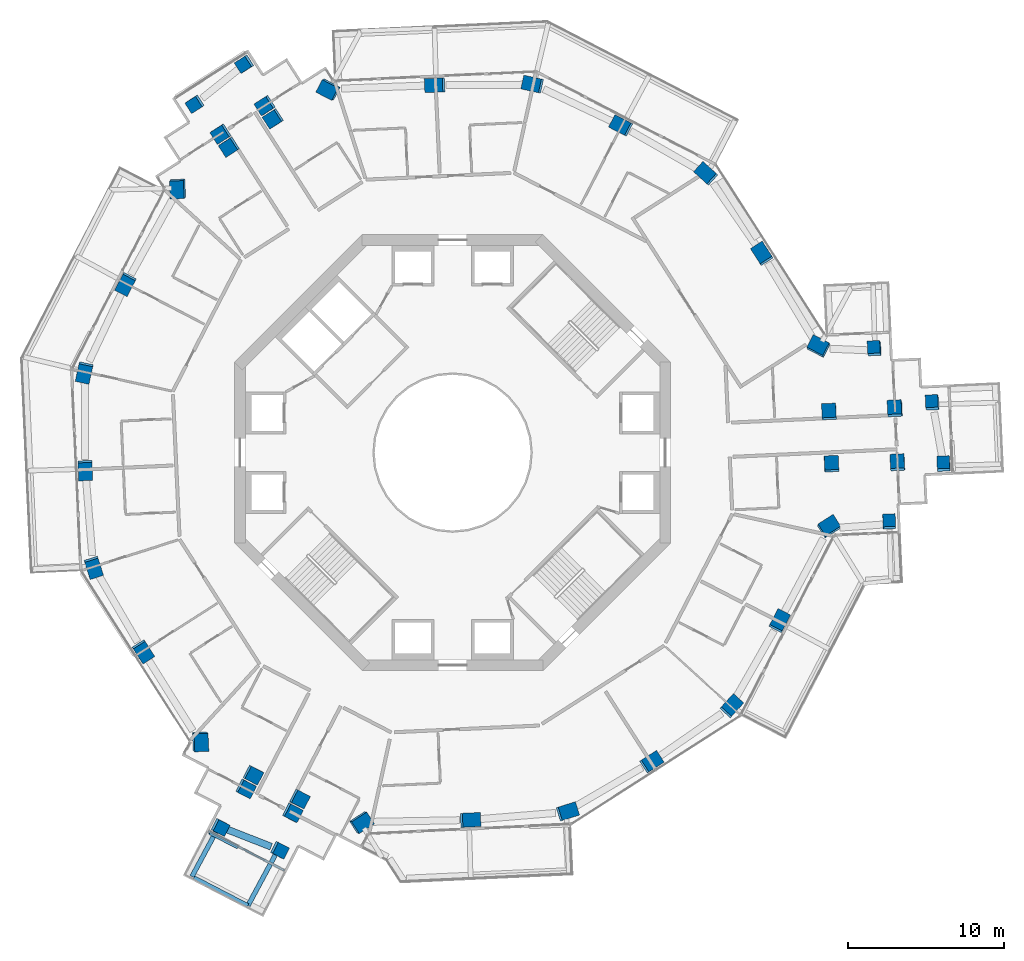
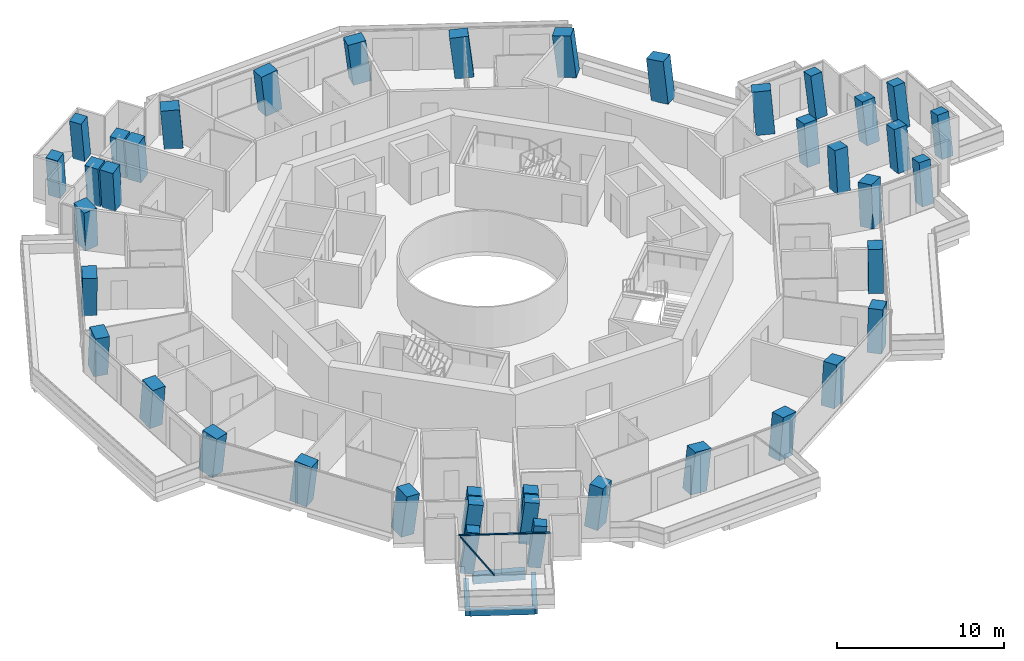
# One storey, part 1 of 22: 41 columns, 4 beams, 2 members, 1 element without a shape of its own.
"""IFC4 building model written with IfcOpenShell, lengths in metres."""

from ifc_helpers import new_model, si_unit, direction, frame, origin, origin_2d, place, context, subcontext, project, spatial, rectangle, extrude, material, layer, layer_set, material_profile, profile_set, type_object, element, aggregate, save


model = new_model("IFC4")

# Units and contexts
model_context = context("Model", 3, precision=1e-05, world=origin(), true_north=direction((0.0, 1.0)))
body_context = subcontext(model_context, "Body", "Model", "MODEL_VIEW")
ifc_project = project(units=[si_unit("LENGTHUNIT", "METRE"), si_unit("AREAUNIT", "SQUARE_METRE"), si_unit("VOLUMEUNIT", "CUBIC_METRE"), si_unit("PLANEANGLEUNIT", "RADIAN"), si_unit("MASSUNIT", "GRAM", prefix="KILO")], contexts=[model_context])

# Site, building, storey
site_placement = place(None, origin())
site = spatial("IfcSite", under=ifc_project, at=site_placement, CompositionType="ELEMENT")
building_placement = place(site_placement, origin())
building = spatial("IfcBuilding", under=site, at=building_placement, Name="Verdalira Terraces Hotel", CompositionType="ELEMENT")
storey_placement = place(building_placement, frame((0.0, 0.0, 165.5)))
storey = spatial("IfcBuildingStorey", under=building, at=storey_placement, Name="L40", CompositionType="ELEMENT", Elevation=165.5)

# Columns
ifc_material_1 = material(Name="Concrete C60", Category="concrete")
ifc_material_profile_1 = material_profile(ifc_material_1, rectangle(XDim=1.149902, YDim=0.899902, at=origin_2d()), Name="RC 1150X900")
ifc_profile_set_1 = profile_set([ifc_material_profile_1], Name="Concrete C60")
column_type_1 = type_object("IfcColumnType", Name="Column RC 1150X900 C60", PredefinedType="COLUMN", material=ifc_profile_set_1)
column_1_placement = place(storey_placement, frame((-17.611572, 16.965088, 0.0), z_axis=(-0.079939454, -0.084385026, 0.993221451), x_axis=(-0.052653357, 0.995376644, 0.080330326)))
element("IfcColumn", 1, at=column_1_placement, inside=storey, type_object=column_type_1, Name="Column C01", PredefinedType="COLUMN", context=body_context, shape_type="SweptSolid", body=[
    extrude(rectangle(XDim=1.149902, YDim=0.899902, at=origin_2d()), origin(), (0.0, 0.0, 1.0), 3.020508),
])
column_2_placement = place(storey_placement, frame((-20.967285, 10.849854, 0.0), z_axis=(-0.050783742, -0.100111899, 0.993679334), x_axis=(-0.457036789, -0.882336041, -0.112251882)))
element("IfcColumn", 2, at=column_2_placement, inside=storey, type_object=column_type_1, Name="Column C02", PredefinedType="COLUMN", context=body_context, shape_type="SweptSolid", body=[
    extrude(rectangle(XDim=1.149902, YDim=0.899902, at=origin_2d()), origin(), (0.0, 0.0, 1.0), 3.019043),
])
column_3_placement = place(storey_placement, frame((-23.631836, 5.178467, 0.0), z_axis=(-0.023766796, -0.112609342, 0.99335506), x_axis=(0.213378086, 0.970167516, 0.115085979)))
element("IfcColumn", 3, at=column_3_placement, inside=storey, type_object=column_type_1, Name="Column C03", PredefinedType="COLUMN", context=body_context, shape_type="SweptSolid", body=[
    extrude(rectangle(XDim=1.149902, YDim=0.899902, at=origin_2d()), origin(), (0.0, 0.0, 1.0), 3.02002),
])
column_4_placement = place(storey_placement, frame((-23.583252, -1.087402, 0.0), z_axis=(0.006145753, -0.112159985, 0.993671157), x_axis=(0.045945291, -0.992608833, -0.112324243)))
element("IfcColumn", 4, at=column_4_placement, inside=storey, type_object=column_type_1, Name="Column C04", PredefinedType="COLUMN", context=body_context, shape_type="SweptSolid", body=[
    extrude(rectangle(XDim=1.149902, YDim=0.899902, at=origin_2d()), origin(), (0.0, 0.0, 1.0), 3.019043),
])
column_5_placement = place(storey_placement, frame((-23.055176, -7.331299, 0.0), z_axis=(0.035812192, -0.109295901, 0.993363928), x_axis=(-0.301282406, 0.946573687, 0.115009418)))
element("IfcColumn", 5, at=column_5_placement, inside=storey, type_object=column_type_1, Name="Column C05", PredefinedType="COLUMN", context=body_context, shape_type="SweptSolid", body=[
    extrude(rectangle(XDim=1.149902, YDim=0.899902, at=origin_2d()), origin(), (0.0, 0.0, 1.0), 3.02002),
])
column_6_placement = place(storey_placement, frame((-19.879883, -12.733398, 0.0), z_axis=(0.061296279, -0.094046929, 0.993678993), x_axis=(0.535491613, -0.837046934, -0.112254901)))
element("IfcColumn", 6, at=column_6_placement, inside=storey, type_object=column_type_1, Name="Column C06", PredefinedType="COLUMN", context=body_context, shape_type="SweptSolid", body=[
    extrude(rectangle(XDim=1.149902, YDim=0.899902, at=origin_2d()), origin(), (0.0, 0.0, 1.0), 3.019043),
])
column_7_placement = place(storey_placement, frame((-16.229492, -18.525391, 0.0), z_axis=(0.088740358, -0.076455719, 0.993116142), x_axis=(-0.038931271, 0.996021602, 0.080158119)))
element("IfcColumn", 7, at=column_7_placement, inside=storey, type_object=column_type_1, Name="Column C07", PredefinedType="COLUMN", context=body_context, shape_type="SweptSolid", body=[
    extrude(rectangle(XDim=1.149902, YDim=0.899902, at=origin_2d()), origin(), (0.0, 0.0, 1.0), 3.020752),
])
column_8_placement = place(storey_placement, frame((-5.886475, -23.734619, 0.0), z_axis=(0.113078662, -0.027077449, 0.99321701), x_axis=(-0.835843281, -0.543055094, 0.080356551)))
element("IfcColumn", 8, at=column_8_placement, inside=storey, type_object=column_type_1, Name="Column C10", PredefinedType="COLUMN", context=body_context, shape_type="SweptSolid", body=[
    extrude(rectangle(XDim=1.149902, YDim=0.899902, at=origin_2d()), origin(), (0.0, 0.0, 1.0), 3.020508),
])
column_9_placement = place(storey_placement, frame((1.087402, -23.583252, 0.0), z_axis=(0.112159985, 0.006145753, 0.993671157), x_axis=(0.992608833, 0.045945291, -0.112324243)))
element("IfcColumn", 9, at=column_9_placement, inside=storey, type_object=column_type_1, Name="Column C11", PredefinedType="COLUMN", context=body_context, shape_type="SweptSolid", body=[
    extrude(rectangle(XDim=1.149902, YDim=0.899902, at=origin_2d()), origin(), (0.0, 0.0, 1.0), 3.019043),
])
column_10_placement = place(storey_placement, frame((7.331299, -23.055176, 0.0), z_axis=(0.109295901, 0.035812192, 0.993363928), x_axis=(-0.946573687, -0.301282406, 0.115009418)))
element("IfcColumn", 10, at=column_10_placement, inside=storey, type_object=column_type_1, Name="Column C12", PredefinedType="COLUMN", context=body_context, shape_type="SweptSolid", body=[
    extrude(rectangle(XDim=1.149902, YDim=0.899902, at=origin_2d()), origin(), (0.0, 0.0, 1.0), 3.02002),
])
column_11_placement = place(storey_placement, frame((12.733398, -19.879883, 0.0), z_axis=(0.094046929, 0.061296279, 0.993678993), x_axis=(0.837046934, 0.535491613, -0.112254901)))
element("IfcColumn", 11, at=column_11_placement, inside=storey, type_object=column_type_1, Name="Column C13", PredefinedType="COLUMN", context=body_context, shape_type="SweptSolid", body=[
    extrude(rectangle(XDim=1.149902, YDim=0.899902, at=origin_2d()), origin(), (0.0, 0.0, 1.0), 3.019043),
])
column_12_placement = place(storey_placement, frame((17.876709, -16.300781, 0.0), z_axis=(0.076717303, 0.08569056, 0.993363772), x_axis=(-0.668853924, -0.734443295, 0.115010764)))
element("IfcColumn", 12, at=column_12_placement, inside=storey, type_object=column_type_1, Name="Column C14", PredefinedType="COLUMN", context=body_context, shape_type="SweptSolid", body=[
    extrude(rectangle(XDim=1.149902, YDim=0.899902, at=origin_2d()), origin(), (0.0, 0.0, 1.0), 3.02002),
])
column_13_placement = place(storey_placement, frame((20.967285, -10.849854, 0.0), z_axis=(0.050783742, 0.100111899, 0.993679334), x_axis=(0.457036789, 0.882336041, -0.112251882)))
element("IfcColumn", 13, at=column_13_placement, inside=storey, type_object=column_type_1, Name="Column C15", PredefinedType="COLUMN", context=body_context, shape_type="SweptSolid", body=[
    extrude(rectangle(XDim=1.149902, YDim=0.899902, at=origin_2d()), origin(), (0.0, 0.0, 1.0), 3.019043),
])
column_14_placement = place(storey_placement, frame((24.158203, -4.792236, 0.0), z_axis=(0.021821591, 0.115007869, 0.99312487), x_axis=(-0.84308303, -0.531783602, 0.080107461)))
element("IfcColumn", 14, at=column_14_placement, inside=storey, type_object=column_type_1, Name="Column C16", PredefinedType="COLUMN", context=body_context, shape_type="SweptSolid", body=[
    extrude(rectangle(XDim=1.149902, YDim=0.899902, at=origin_2d()), origin(), (0.0, 0.0, 1.0), 3.020752),
])
column_15_placement = place(storey_placement, frame((23.498047, 6.769531, 0.0), z_axis=(-0.033139531, 0.111461983, 0.993215988), x_axis=(0.888413515, -0.451954956, 0.080362583)))
element("IfcColumn", 15, at=column_15_placement, inside=storey, type_object=column_type_1, Name="Column C21", PredefinedType="COLUMN", context=body_context, shape_type="SweptSolid", body=[
    extrude(rectangle(XDim=1.149902, YDim=0.899902, at=origin_2d()), origin(), (0.0, 0.0, 1.0), 3.020508),
])
column_16_placement = place(storey_placement, frame((19.879883, 12.733398, 0.0), z_axis=(-0.061296279, 0.094046929, 0.993678993), x_axis=(-0.535491613, 0.837046934, -0.112254901)))
element("IfcColumn", 16, at=column_16_placement, inside=storey, type_object=column_type_1, Name="Column C22", PredefinedType="COLUMN", context=body_context, shape_type="SweptSolid", body=[
    extrude(rectangle(XDim=1.149902, YDim=0.899902, at=origin_2d()), origin(), (0.0, 0.0, 1.0), 3.019043),
])
column_17_placement = place(storey_placement, frame((16.300781, 17.876709, 0.0), z_axis=(-0.08569056, 0.076717303, 0.993363772), x_axis=(0.734443295, -0.668853924, 0.115010764)))
element("IfcColumn", 17, at=column_17_placement, inside=storey, type_object=column_type_1, Name="Column C23", PredefinedType="COLUMN", context=body_context, shape_type="SweptSolid", body=[
    extrude(rectangle(XDim=1.149902, YDim=0.899902, at=origin_2d()), origin(), (0.0, 0.0, 1.0), 3.02002),
])
column_18_placement = place(storey_placement, frame((10.849854, 20.967285, 0.0), z_axis=(-0.100111899, 0.050783742, 0.993679334), x_axis=(-0.882336041, 0.457036789, -0.112251882)))
element("IfcColumn", 18, at=column_18_placement, inside=storey, type_object=column_type_1, Name="Column C24", PredefinedType="COLUMN", context=body_context, shape_type="SweptSolid", body=[
    extrude(rectangle(XDim=1.149902, YDim=0.899902, at=origin_2d()), origin(), (0.0, 0.0, 1.0), 3.019043),
])
column_19_placement = place(storey_placement, frame((5.178467, 23.631836, 0.0), z_axis=(-0.112609342, 0.023766796, 0.99335506), x_axis=(0.970167516, -0.213378086, 0.115085979)))
element("IfcColumn", 19, at=column_19_placement, inside=storey, type_object=column_type_1, Name="Column C25", PredefinedType="COLUMN", context=body_context, shape_type="SweptSolid", body=[
    extrude(rectangle(XDim=1.149902, YDim=0.899902, at=origin_2d()), origin(), (0.0, 0.0, 1.0), 3.02002),
])
column_20_placement = place(storey_placement, frame((-1.087402, 23.583252, 0.0), z_axis=(-0.112159985, -0.006145753, 0.993671157), x_axis=(-0.992608833, -0.045945291, -0.112324243)))
element("IfcColumn", 20, at=column_20_placement, inside=storey, type_object=column_type_1, Name="Column C26", PredefinedType="COLUMN", context=body_context, shape_type="SweptSolid", body=[
    extrude(rectangle(XDim=1.149902, YDim=0.899902, at=origin_2d()), origin(), (0.0, 0.0, 1.0), 3.019043),
])
column_21_placement = place(storey_placement, frame((-7.928955, 23.317871, 0.0), z_axis=(-0.110482146, -0.038632382, 0.993126998), x_axis=(0.882217321, -0.463979926, 0.080095107)))
element("IfcColumn", 21, at=column_21_placement, inside=storey, type_object=column_type_1, Name="Column C27", PredefinedType="COLUMN", context=body_context, shape_type="SweptSolid", body=[
    extrude(rectangle(XDim=1.149902, YDim=0.899902, at=origin_2d()), origin(), (0.0, 0.0, 1.0), 3.020752),
])
ifc_material_2 = material(Name="Concrete C60", Category="concrete")
ifc_material_profile_2 = material_profile(ifc_material_2, rectangle(XDim=0.800049, YDim=0.800049, at=origin_2d()), Name="RC 800X800")
ifc_profile_set_2 = profile_set([ifc_material_profile_2], Name="Concrete C60")
column_type_2 = type_object("IfcColumnType", Name="Column RC 800X800 C60", PredefinedType="COLUMN", material=ifc_profile_set_2)
column_22_placement = place(storey_placement, frame((-14.962402, -24.018799, 0.0), z_axis=(0.114593939, -0.069998268, 0.990943223), x_axis=(0.880903875, -0.453949117, -0.133934915)))
element("IfcColumn", 22, at=column_22_placement, inside=storey, type_object=column_type_2, Name="Column C08", PredefinedType="COLUMN", context=body_context, shape_type="SweptSolid", body=[
    extrude(rectangle(XDim=0.800049, YDim=0.800049, at=origin_2d()), origin(), (0.0, 0.0, 1.0), 3.027344),
])
column_23_placement = place(storey_placement, frame((-11.154297, -25.493896, 0.0), z_axis=(0.121405154, -0.051869445, 0.991246866), x_axis=(0.879943712, -0.456470126, -0.131658983)))
element("IfcColumn", 23, at=column_23_placement, inside=storey, type_object=column_type_2, Name="Column C09", PredefinedType="COLUMN", context=body_context, shape_type="SweptSolid", body=[
    extrude(rectangle(XDim=0.800049, YDim=0.800049, at=origin_2d()), origin(), (0.0, 0.0, 1.0), 3.026611),
])
column_24_placement = place(storey_placement, frame((28.025879, -4.503906, 0.0), z_axis=(-0.000645361, 0.131814936, 0.991274133), x_axis=(0.99896309, 0.045210597, -0.005361524)))
element("IfcColumn", 24, at=column_24_placement, inside=storey, type_object=column_type_2, Name="Column C17", PredefinedType="COLUMN", context=body_context, shape_type="SweptSolid", body=[
    extrude(rectangle(XDim=0.800049, YDim=0.800049, at=origin_2d()), origin(), (0.0, 0.0, 1.0), 3.026367),
])
for number, where, z_axis, x_axis, name in (
    (25, (31.519043, -0.799072, 0.0), (-0.018347454, 0.147906228, 0.988831188), (-0.043896303, 0.98792488, -0.148585147), "Column C18"),
    (26, (30.797119, 3.131836, 0.0), (-0.036856092, 0.144366439, 0.988837681), (-0.040689295, 0.988472597, -0.145829715), "Column C19"),
):
    element("IfcColumn", number, at=place(storey_placement, frame(where, z_axis=z_axis, x_axis=x_axis)), inside=storey, type_object=column_type_2, Name=name, PredefinedType="COLUMN", context=body_context, shape_type="SweptSolid", body=[
        extrude(rectangle(XDim=0.800049, YDim=0.800049, at=origin_2d()), origin(), (0.0, 0.0, 1.0), 3.033936),
    ])
column_25_placement = place(storey_placement, frame((27.092285, 6.625, 0.0), z_axis=(-0.05336096, 0.12687334, 0.990482591), x_axis=(-0.997539156, -0.051946416, -0.04708718)))
element("IfcColumn", 27, at=column_25_placement, inside=storey, type_object=column_type_2, Name="Column C20", PredefinedType="COLUMN", context=body_context, shape_type="SweptSolid", body=[
    extrude(rectangle(XDim=0.800049, YDim=0.800049, at=origin_2d()), origin(), (0.0, 0.0, 1.0), 3.028809),
])
column_26_placement = place(storey_placement, frame((-13.31958, 24.967041, 0.0), z_axis=(-0.117980445, -0.064191685, 0.99093897), x_axis=(-0.833876929, -0.535445907, -0.133966218)))
element("IfcColumn", 28, at=column_26_placement, inside=storey, type_object=column_type_2, Name="Column C28", PredefinedType="COLUMN", context=body_context, shape_type="SweptSolid", body=[
    extrude(rectangle(XDim=0.800049, YDim=0.800049, at=origin_2d()), origin(), (0.0, 0.0, 1.0), 3.027344),
])
column_27_placement = place(storey_placement, frame((-16.501221, 22.406738, 0.0), z_axis=(-0.105674248, -0.079215352, 0.991240577), x_axis=(-0.83537348, -0.533670931, -0.131706064)))
element("IfcColumn", 29, at=column_27_placement, inside=storey, type_object=column_type_2, Name="Column C29", PredefinedType="COLUMN", context=body_context, shape_type="SweptSolid", body=[
    extrude(rectangle(XDim=0.800049, YDim=0.800049, at=origin_2d()), origin(), (0.0, 0.0, 1.0), 3.026611),
])
ifc_material_3 = material(Name="Concrete C60", Category="concrete")
ifc_material_profile_3 = material_profile(ifc_material_3, rectangle(XDim=0.899902, YDim=0.899902, at=origin_2d()), Name="RC 900X900")
ifc_profile_set_3 = profile_set([ifc_material_profile_3], Name="Concrete C60")
column_type_3 = type_object("IfcColumnType", Name="Column RC 900X900 C60", PredefinedType="COLUMN", material=ifc_profile_set_3)
for number, where, z_axis, x_axis, name in (
    (30, (-11.478516, 21.455566, 0.0), (-0.10160729, -0.055451552, 0.993277949), (-0.538506586, 0.842582869, -0.008047765), "Column C30"),
    (31, (-14.304932, 19.645264, 0.0), (-0.092879203, -0.068790428, 0.993298208), (-0.539879631, 0.841705998, 0.007810067), "Column C31"),
):
    element("IfcColumn", number, at=place(storey_placement, frame(where, z_axis=z_axis, x_axis=x_axis)), inside=storey, type_object=column_type_3, Name=name, PredefinedType="COLUMN", context=body_context, shape_type="SweptSolid", body=[
        extrude(rectangle(XDim=0.899902, YDim=0.899902, at=origin_2d()), origin(), (0.0, 0.0, 1.0), 3.020264),
    ])
for number, where, z_axis, x_axis, name in (
    (32, (-12.003906, 22.306641, 0.0), (-0.105509849, -0.057925392, 0.992729732), (-0.538535736, 0.842563989, -0.008073673), "Column C32"),
    (33, (-14.844238, 20.487305, 0.0), (-0.096786212, -0.071337417, 0.992745386), (-0.539948344, 0.841661649, 0.007839284), "Column C33"),
):
    element("IfcColumn", number, at=place(storey_placement, frame(where, z_axis=z_axis, x_axis=x_axis)), inside=storey, type_object=column_type_3, Name=name, PredefinedType="COLUMN", context=body_context, shape_type="SweptSolid", body=[
        extrude(rectangle(XDim=0.899902, YDim=0.899902, at=origin_2d()), origin(), (0.0, 0.0, 1.0), 3.021973),
    ])
for number, where, z_axis, x_axis, name in (
    (34, (-12.841797, -20.668457, 0.0), (0.098778402, -0.060301709, 0.993280691), (-0.46085117, -0.887440961, -0.008046128), "Column C34"),
    (35, (-9.86084, -22.211182, 0.0), (0.105975107, -0.045995298, 0.993304439), (-0.458798962, -0.888505809, 0.007806448), "Column C35"),
):
    element("IfcColumn", number, at=place(storey_placement, frame(where, z_axis=z_axis, x_axis=x_axis)), inside=storey, type_object=column_type_3, Name=name, PredefinedType="COLUMN", context=body_context, shape_type="SweptSolid", body=[
        extrude(rectangle(XDim=0.899902, YDim=0.899902, at=origin_2d()), origin(), (0.0, 0.0, 1.0), 3.020264),
    ])
for number, where, z_axis, x_axis, name in (
    (36, (-13.316406, -21.549072, 0.0), (0.103004771, -0.062368379, 0.992723628), (-0.459817458, -0.887976727, -0.008077049), "Column C36"),
    (37, (-10.320312, -23.099121, 0.0), (0.110117219, -0.048151036, 0.992751568), (-0.459094939, -0.888352653, 0.007835955), "Column C37"),
):
    element("IfcColumn", number, at=place(storey_placement, frame(where, z_axis=z_axis, x_axis=x_axis)), inside=storey, type_object=column_type_3, Name=name, PredefinedType="COLUMN", context=body_context, shape_type="SweptSolid", body=[
        extrude(rectangle(XDim=0.899902, YDim=0.899902, at=origin_2d()), origin(), (0.0, 0.0, 1.0), 3.021973),
    ])
for number, where, z_axis, x_axis, name in (
    (38, (24.320312, -0.787109, 0.0), (0.002829176, 0.115672888, 0.993283333), (0.998970509, 0.044645345, -0.008044552), "Column C38"),
    (39, (24.165771, 2.565918, 0.0), (-0.013176137, 0.114785975, 0.993302859), (0.998859826, 0.047096645, 0.007807366), "Column C39"),
):
    element("IfcColumn", number, at=place(storey_placement, frame(where, z_axis=z_axis, x_axis=x_axis)), inside=storey, type_object=column_type_3, Name=name, PredefinedType="COLUMN", context=body_context, shape_type="SweptSolid", body=[
        extrude(rectangle(XDim=0.899902, YDim=0.899902, at=origin_2d()), origin(), (0.0, 0.0, 1.0), 3.020264),
    ])
column_28_placement = place(storey_placement, frame((28.561523, -0.70752, 0.0), z_axis=(-0.018625568, 0.134168594, 0.990783466), x_axis=(0.998805355, 0.047272883, 0.012374834)))
element("IfcColumn", 40, at=column_28_placement, inside=storey, type_object=column_type_3, Name="Column C40", PredefinedType="COLUMN", context=body_context, shape_type="SweptSolid", body=[
    extrude(rectangle(XDim=0.899902, YDim=0.899902, at=origin_2d()), origin(), (0.0, 0.0, 1.0), 3.027832),
])
column_29_placement = place(storey_placement, frame((28.401611, 2.760986, 0.0), z_axis=(-0.03506242, 0.133317801, 0.990452922), x_axis=(0.998368635, 0.049360527, 0.028698571)))
element("IfcColumn", 41, at=column_29_placement, inside=storey, type_object=column_type_3, Name="Column C41", PredefinedType="COLUMN", context=body_context, shape_type="SweptSolid", body=[
    extrude(rectangle(XDim=0.899902, YDim=0.899902, at=origin_2d()), origin(), (0.0, 0.0, 1.0), 3.028809),
])

# Beams
ifc_material_4 = material(Name="Concrete C40", Category="concrete")
ifc_material_profile_4 = material_profile(ifc_material_4, rectangle(XDim=0.300049, YDim=0.5, at=origin_2d()), Name="RC 300X500")
ifc_profile_set_4 = profile_set([ifc_material_profile_4], Name="Concrete C40")
beam_type_1 = type_object("IfcBeamType", Name="Balcony cantilever beam RC 300X500 C40", PredefinedType="BEAM", material=ifc_profile_set_4)
beam_1_placement = place(storey_placement, frame((-15.1875, -24.348389, -0.560059), z_axis=(-0.474372706, -0.880324108, 0.0), x_axis=(0.880324108, -0.474372706, 0.0)))
element("IfcBeam", 42, at=beam_1_placement, inside=storey, type_object=beam_type_1, Name="Balcony cantilever beam R19-1", PredefinedType="BEAM", context=body_context, shape_type="SweptSolid", body=[
    extrude(rectangle(XDim=0.300049, YDim=0.5, at=origin_2d()), origin(), (0.0, 0.0, 1.0), 3.25415),
])
beam_2_placement = place(storey_placement, frame((-11.381592, -25.829102, -0.560059), z_axis=(-0.474407684, -0.880305259, 0.0), x_axis=(0.880305259, -0.474407684, 0.0)))
element("IfcBeam", 43, at=beam_2_placement, inside=storey, type_object=beam_type_1, Name="Balcony cantilever beam R19-2", PredefinedType="BEAM", context=body_context, shape_type="SweptSolid", body=[
    extrude(rectangle(XDim=0.300049, YDim=0.5, at=origin_2d()), origin(), (0.0, 0.0, 1.0), 3.688232),
])
ifc_material_5 = material(Name="Concrete C40", Category="concrete")
ifc_material_profile_5 = material_profile(ifc_material_5, rectangle(XDim=0.25, YDim=0.449951, at=origin_2d()), Name="RC 250X450")
ifc_profile_set_5 = profile_set([ifc_material_profile_5], Name="Concrete C40")
beam_type_2 = type_object("IfcBeamType", Name="Balcony edge beam RC 250X450 C40", PredefinedType="BEAM", material=ifc_profile_set_5)
beam_3_placement = place(storey_placement, frame((-16.598145, -27.281982, -0.534912), z_axis=(0.888136661, -0.45957945, 0.0), x_axis=(0.45957945, 0.888136661, 0.0)))
element("IfcBeam", 44, at=beam_3_placement, inside=storey, type_object=beam_type_2, Name="Balcony edge beam R19-1", PredefinedType="BEAM", context=body_context, shape_type="SweptSolid", body=[
    extrude(rectangle(XDim=0.25, YDim=0.449951, at=origin_2d()), origin(), (0.0, 0.0, 1.0), 3.903564),
])

# Curtain wall, members
ifc_material_6 = material(Name="Clear glass", Category="glass")
ifc_layer = layer(ifc_material_6, 0.14990234375)
ifc_layer_set = layer_set([ifc_layer], Name="CW3 curtain wall")
curtain_wall_type = type_object("IfcCurtainWallType", Name="CW3 curtain wall", PredefinedType="NOTDEFINED", material=ifc_layer_set)
curtain_wall_placement = place(storey_placement, origin())
curtain_wall = element("IfcCurtainWall", 45, at=curtain_wall_placement, inside=storey, type_object=curtain_wall_type, Name="CW3 curtain wall L40 edge 19", PredefinedType="NOTDEFINED")
ifc_material_7 = material(Name="Terracotta frame", Category="masonry")
ifc_material_profile_6 = material_profile(ifc_material_7, rectangle(XDim=0.120117, YDim=0.064941, at=origin_2d()), Name="TR 65x120")
ifc_profile_set_6 = profile_set([ifc_material_profile_6], Name="Terracotta frame")
member_type_1 = type_object("IfcMemberType", Name="CW3 transom 65x120", PredefinedType="USERDEFINED", material=ifc_profile_set_6)
member_1_placement = place(storey_placement, frame((-15.670654, -24.299561, 2.967529), z_axis=(0.888126433, -0.459599215, 0.0), x_axis=(0.459599215, 0.888126433, 0.0)))
member_1 = element("IfcMember", 46, at=member_1_placement, type_object=member_type_1, Name="CW3 transom", ObjectType="TRANSOM", PredefinedType="USERDEFINED", context=body_context, shape_type="SweptSolid", body=[
    extrude(rectangle(XDim=0.120117, YDim=0.064941, at=origin_2d()), origin(), (0.0, 0.0, 1.0), 5.5),
])
ifc_material_8 = material(Name="Terracotta frame", Category="masonry")
ifc_material_profile_7 = material_profile(ifc_material_8, rectangle(XDim=0.149902, YDim=0.060059, at=origin_2d()), Name="GB 60x150")
ifc_profile_set_7 = profile_set([ifc_material_profile_7], Name="Terracotta frame")
member_type_2 = type_object("IfcMemberType", Name="Diagonal glazing bar 60x150", PredefinedType="USERDEFINED", material=ifc_profile_set_7)
member_2_placement = place(storey_placement, frame((-15.619629, -24.430908, 2.898926), z_axis=(0.513557341, -0.26571948, -0.815875), x_axis=(0.459540762, 0.88815668, 0.0)))
member_2 = element("IfcMember", 47, at=member_2_placement, type_object=member_type_2, Name="Diagonal glazing bar", ObjectType="GLAZING BAR", PredefinedType="USERDEFINED", context=body_context, shape_type="SweptSolid", body=[
    extrude(rectangle(XDim=0.149902, YDim=0.060059, at=origin_2d()), origin(), (0.0, 0.0, 1.0), 3.508789),
])
aggregate(curtain_wall, [member_1, member_2])

# Beam
ifc_material_9 = material(Name="Concrete C50", Category="concrete")
ifc_material_profile_8 = material_profile(ifc_material_9, rectangle(XDim=0.449951, YDim=0.649902, at=origin_2d()), Name="RC 450X650")
ifc_profile_set_8 = profile_set([ifc_material_profile_8], Name="Concrete C50")
beam_type_3 = type_object("IfcBeamType", Name="Spandrel beam RC 450X650 C50", PredefinedType="SPANDREL", material=ifc_profile_set_8)
beam_4_placement = place(storey_placement, frame((-14.619873, -24.13501, -0.63501), z_axis=(0.931390513, -0.364021582, 0.0), x_axis=(0.364021582, 0.931390513, 0.0)))
element("IfcBeam", 48, at=beam_4_placement, inside=storey, type_object=beam_type_3, Name="Spandrel beam B08", PredefinedType="SPANDREL", context=body_context, shape_type="SweptSolid", body=[
    extrude(rectangle(XDim=0.449951, YDim=0.649902, at=origin_2d()), origin(), (0.0, 0.0, 1.0), 3.192383),
])

save(model, "model.ifc")
